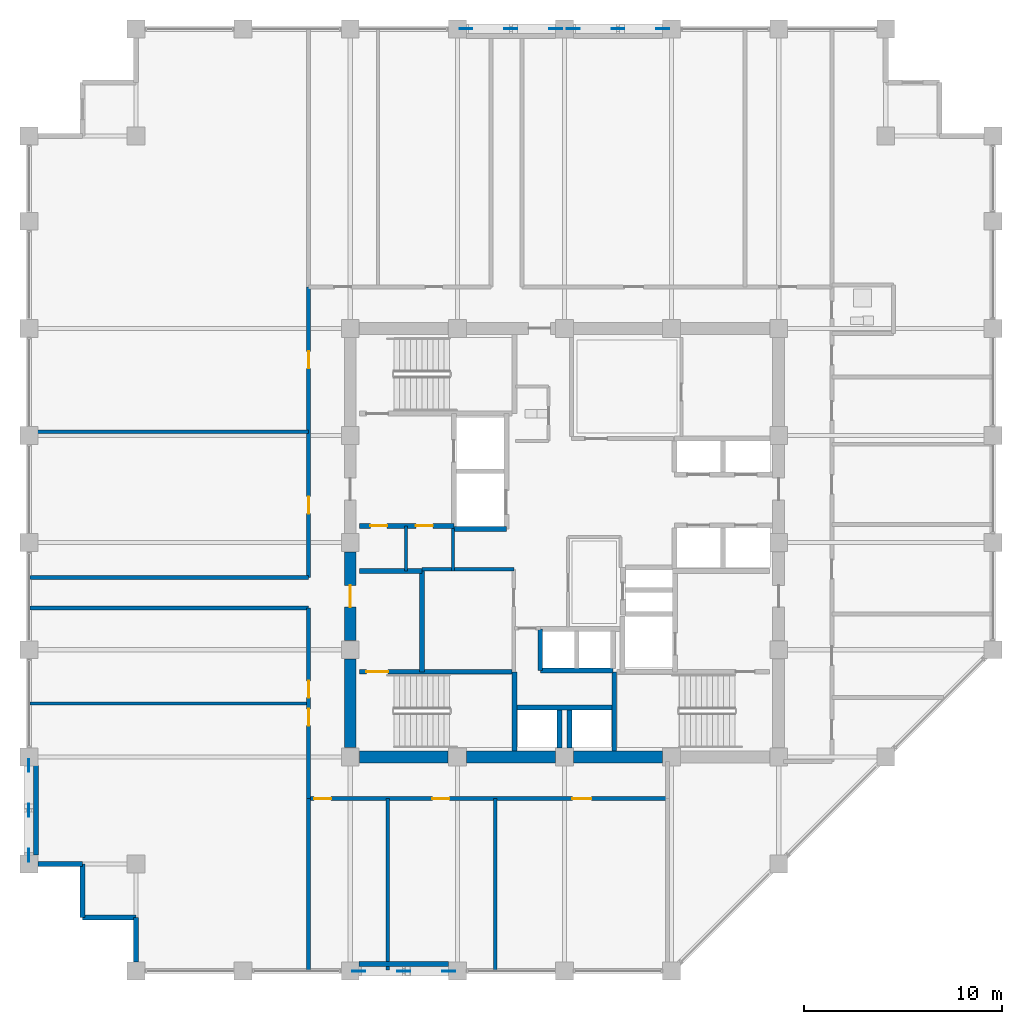
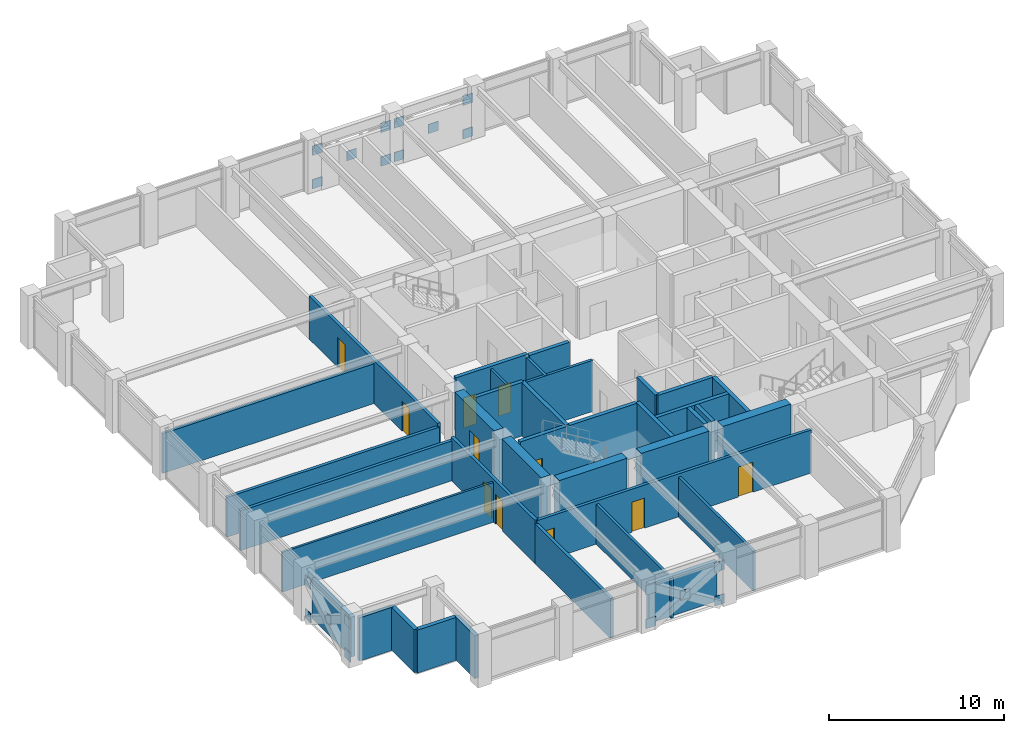
# One storey, part 27 of 32: 36 walls, 20 plates, 11 doors, 11 openings.
"""IFC4 building model written with IfcOpenShell, lengths in metres."""

from ifc_helpers import new_model, si_unit, direction, frame, frame_2d, origin, origin_2d, place, context, subcontext, project, spatial, rectangle, extrude, material, layer, layer_set, type_object, element, fill, save


model = new_model("IFC4")

# Units and contexts
model_context = context("Model", 3, precision=1e-05, world=origin(), true_north=direction((0.0, 1.0)))
body_context = subcontext(model_context, "Body", "Model", "MODEL_VIEW")
ifc_project = project(units=[si_unit("LENGTHUNIT", "METRE"), si_unit("AREAUNIT", "SQUARE_METRE"), si_unit("VOLUMEUNIT", "CUBIC_METRE"), si_unit("PLANEANGLEUNIT", "RADIAN"), si_unit("MASSUNIT", "GRAM", prefix="KILO")], contexts=[model_context])

# Site, building, storey
site_placement = place(None, origin())
site = spatial("IfcSite", under=ifc_project, at=site_placement, CompositionType="ELEMENT")
building_placement = place(site_placement, origin())
building = spatial("IfcBuilding", under=site, at=building_placement, Name="Surkhivell Harbour Commons", CompositionType="ELEMENT")
storey_placement = place(building_placement, frame((0.0, 0.0, 212.25)))
storey = spatial("IfcBuildingStorey", under=building, at=storey_placement, Name="L55", CompositionType="ELEMENT", Elevation=212.25)

# Plates
ifc_material_1 = material(Name="Steel S460", Category="steel")
ifc_layer_1 = layer(ifc_material_1, 0.044921875)
ifc_layer_set_1 = layer_set([ifc_layer_1], Name="Steel S460")
plate_type = type_object("IfcPlateType", Name="PLT-GUS-650", PredefinedType="USERDEFINED", material=ifc_layer_set_1)
for number, where, z_axis, x_axis, name in (
    (1, (-4.965087890625, 25.89990234375, -0.08935546875), (0.0, 0.0, 1.0), (1.0, 0.0, 0.0), "L55 Perimeter Mega-Brace MB- Corner Gusset N-1"),
    (2, (-0.43505859375, 25.89990234375, -0.08935546875), (0.0, 0.0, 1.0), (1.0, 0.0, 0.0), "L55 Perimeter Mega-Brace MB- Corner Gusset N-2"),
    (3, (-4.965087890625, 25.89990234375, 2.25146484375), (0.0, 0.0, 1.0), (1.0, 0.0, 0.0), "L55 Perimeter Mega-Brace MB- Corner Gusset N-3"),
    (4, (-0.43505859375, 25.89990234375, 2.25146484375), (0.0, 0.0, 1.0), (1.0, 0.0, 0.0), "L55 Perimeter Mega-Brace MB- Corner Gusset N-4"),
    (5, (-2.699951171875, 25.89990234375, 1.0810546875), (0.0, 0.0, 1.0), (1.0, 0.0, 0.0), "L55 Perimeter Mega-Brace MB- Central Crossing Gusset N"),
    (6, (0.43505859375, 25.89990234375, -0.08935546875), (0.0, 0.0, 1.0), (1.0, 0.0, 0.0), "L55 Perimeter Mega-Brace MB- Corner Gusset N2-1"),
    (7, (4.965087890625, 25.89990234375, -0.08935546875), (0.0, 0.0, 1.0), (1.0, 0.0, 0.0), "L55 Perimeter Mega-Brace MB- Corner Gusset N2-2"),
    (8, (0.43505859375, 25.89990234375, 2.25146484375), (0.0, 0.0, 1.0), (1.0, 0.0, 0.0), "L55 Perimeter Mega-Brace MB- Corner Gusset N2-3"),
    (9, (4.965087890625, 25.89990234375, 2.25146484375), (0.0, 0.0, 1.0), (1.0, 0.0, 0.0), "L55 Perimeter Mega-Brace MB- Corner Gusset N2-4"),
    (10, (2.699951171875, 25.89990234375, 1.0810546875), (0.0, 0.0, 1.0), (1.0, 0.0, 0.0), "L55 Perimeter Mega-Brace MB- Central Crossing Gusset N2"),
    (11, (-10.364990234375, -21.60009765625, -0.08935546875), (0.0, 0.0, 1.0), (1.0, 0.0, 0.0), "L55 Perimeter Mega-Brace MB- Corner Gusset S-1"),
    (12, (-5.8349609375, -21.60009765625, -0.08935546875), (0.0, 0.0, 1.0), (1.0, 0.0, 0.0), "L55 Perimeter Mega-Brace MB- Corner Gusset S-2"),
    (13, (-10.364990234375, -21.60009765625, 2.25146484375), (0.0, 0.0, 1.0), (1.0, 0.0, 0.0), "L55 Perimeter Mega-Brace MB- Corner Gusset S-3"),
    (14, (-5.8349609375, -21.60009765625, 2.25146484375), (0.0, 0.0, 1.0), (1.0, 0.0, 0.0), "L55 Perimeter Mega-Brace MB- Corner Gusset S-4"),
    (15, (-8.10009765625, -21.60009765625, 1.0810546875), (0.0, 0.0, 1.0), (1.0, 0.0, 0.0), "L55 Perimeter Mega-Brace MB- Central Crossing Gusset S"),
    (16, (-27.0, -15.764892578125, -0.08935546875), (0.0, 0.0, 1.0), (0.0, 1.0, 0.0), "L55 Perimeter Mega-Brace MB- Corner Gusset W-1"),
    (17, (-27.0, -11.235107421875, -0.08935546875), (0.0, 0.0, 1.0), (0.0, 1.0, 0.0), "L55 Perimeter Mega-Brace MB- Corner Gusset W-2"),
    (18, (-27.0, -15.764892578125, 2.25146484375), (0.0, 0.0, 1.0), (0.0, 1.0, 0.0), "L55 Perimeter Mega-Brace MB- Corner Gusset W-3"),
    (19, (-27.0, -11.235107421875, 2.25146484375), (0.0, 0.0, 1.0), (0.0, 1.0, 0.0), "L55 Perimeter Mega-Brace MB- Corner Gusset W-4"),
    (20, (-27.0, -13.5, 1.0810546875), (0.0, 0.0, 1.0), (0.0, 1.0, 0.0), "L55 Perimeter Mega-Brace MB- Central Crossing Gusset W"),
):
    element("IfcPlate", number, at=place(storey_placement, frame(where, z_axis=z_axis, x_axis=x_axis)), inside=storey, type_object=plate_type, Name=name, ObjectType="GUSSET_PLATE", PredefinedType="USERDEFINED", context=body_context, shape_type="SweptSolid", body=[
        extrude(rectangle(XDim=0.64990234375, YDim=0.044921875, at=origin_2d()), origin(), (0.0, 0.0, 1.0), 0.64990234375),
    ])

# Walls
ifc_material_2 = material(Name="Concrete C60/75", Category="concrete")
ifc_layer_2 = layer(ifc_material_2, 0.60009765625)
ifc_layer_set_2 = layer_set([ifc_layer_2], Name="Concrete C60/75")
wall_type_1 = type_object("IfcWallType", Name="WAL-CORE-600", PredefinedType="SHEAR", material=ifc_layer_set_2)
for number, where, z_axis, x_axis, name in (
    (21, (-10.340087890625, -10.800048828125, 0.0), (0.0, 0.0, 1.0), (1.0, 0.0, 0.0), "L55 Core Shear Wall South 1"),
    (22, (-10.800048828125, -10.340087890625, 0.0), (0.0, 0.0, 1.0), (0.0, 1.0, 0.0), "L55 Core Shear Wall West 1"),
    (23, (-4.93994140625, -10.800048828125, 0.0), (0.0, 0.0, 1.0), (1.0, 0.0, 0.0), "L55 Core Shear Wall South 2"),
):
    element("IfcWall", number, at=place(storey_placement, frame(where, z_axis=z_axis, x_axis=x_axis)), inside=storey, type_object=wall_type_1, Name=name, PredefinedType="SHEAR", context=body_context, shape_type="SweptSolid", body=[
        extrude(rectangle(XDim=4.47998046875, YDim=0.60009765625, at=frame_2d((2.239990234375, 0.0))), origin(), (0.0, 0.0, 1.0), 3.75),
    ])

# Wall, opening, door
wall_1_placement = place(storey_placement, frame((-10.800048828125, -4.93994140625, 0.0), z_axis=(0.0, 0.0, 1.0), x_axis=(0.0, 1.0, 0.0)))
wall_1 = element("IfcWall", 24, at=wall_1_placement, inside=storey, type_object=wall_type_1, Name="L55 Core Shear Wall West 2", PredefinedType="SHEAR", context=body_context, shape_type="SweptSolid", body=[
    extrude(rectangle(XDim=4.47998046875, YDim=0.60009765625, at=frame_2d((2.239990234375, 0.0))), origin(), (0.0, 0.0, 1.0), 3.75),
])
opening_1_placement = place(wall_1_placement, frame((1.68994140625, 0.0, 0.0)))
opening_1 = element("IfcOpeningElement", 25, at=opening_1_placement, cuts=wall_1, Name="Opening ID-2", PredefinedType="OPENING", context=body_context, shape_type="SweptSolid", body=[
    extrude(rectangle(XDim=1.10009765625, YDim=2.10009765625, at=frame_2d((0.550048828125, 1.050048828125))), frame((0.0, 0.31005859375, 0.0), z_axis=(0.0, -1.0, 0.0), x_axis=(1.0, 0.0, 0.0)), (0.0, 0.0, 1.0), 0.6201171875),
])
ifc_material_3 = material(Name="Hardwood-veneered fire-rated door leaf", Category="wood")
door_type_1 = type_object("IfcDoorType", Name="DOR-FD60-1100", OperationType="NOTDEFINED", PredefinedType="DOOR", material=ifc_material_3)
door_1_placement = place(opening_1_placement, origin())
door_1 = element("IfcDoor", 26, at=door_1_placement, inside=storey, type_object=door_type_1, Name="L55 Stair 3 Lobby Corridor Door", OperationType="SINGLE_SWING_LEFT", OverallHeight=2.10009765625, OverallWidth=1.10009765625, PredefinedType="DOOR", context=body_context, shape_type="SweptSolid", body=[
    extrude(rectangle(XDim=1.10009765625, YDim=2.10009765625, at=frame_2d((0.550048828125, 1.050048828125))), frame((0.0, 0.02490234375, 0.0), z_axis=(0.0, -1.0, 0.0), x_axis=(1.0, 0.0, 0.0)), (0.0, 0.0, 1.0), 0.050048828125),
])
fill(opening_1, door_1)

# Walls
wall_2_placement = place(storey_placement, frame((0.4599609375, -10.800048828125, 0.0), z_axis=(0.0, 0.0, 1.0), x_axis=(1.0, 0.0, 0.0)))
element("IfcWall", 27, at=wall_2_placement, inside=storey, type_object=wall_type_1, Name="L55 Core Shear Wall South 3", PredefinedType="SHEAR", context=body_context, shape_type="SweptSolid", body=[
    extrude(rectangle(XDim=4.47998046875, YDim=0.60009765625, at=frame_2d((2.239990234375, 0.0))), origin(), (0.0, 0.0, 1.0), 3.75),
])
ifc_material_4 = material(Name="Pale-metal insulated precast concrete C45/55", Category="concrete")
ifc_layer_3 = layer(ifc_material_4, 0.260009765625)
ifc_layer_set_3 = layer_set([ifc_layer_3], Name="Pale-metal insulated precast concrete C45/55")
wall_type_2 = type_object("IfcWallType", Name="WAL-EXT-MTL260", PredefinedType="STANDARD", material=ifc_layer_set_3)
wall_3_placement = place(storey_placement, frame((-10.35205078125, -21.239990234375, 0.0), z_axis=(0.0, 0.0, 1.0), x_axis=(1.0, 0.0, 0.0)))
element("IfcWall", 28, at=wall_3_placement, inside=storey, type_object=wall_type_2, Name="L55 Braced-Bay Insulated Spandrel Backing S", PredefinedType="STANDARD", context=body_context, shape_type="SweptSolid", body=[
    extrude(rectangle(XDim=4.504150390625, YDim=0.260009765625, at=frame_2d((2.251953125, 0.0))), origin(), (0.0, 0.0, 1.0), 2.780029296875),
])
wall_4_placement = place(storey_placement, frame((-26.639892578125, -11.248046875, 0.0), z_axis=(0.0, 0.0, 1.0), x_axis=(0.0, -1.0, 0.0)))
element("IfcWall", 29, at=wall_4_placement, inside=storey, type_object=wall_type_2, Name="L55 Braced-Bay Insulated Spandrel Backing W", PredefinedType="STANDARD", context=body_context, shape_type="SweptSolid", body=[
    extrude(rectangle(XDim=4.50390625, YDim=0.260009765625, at=frame_2d((2.251953125, 0.0))), origin(), (0.0, 0.0, 1.0), 2.780029296875),
])
wall_5_placement = place(storey_placement, frame((-26.552001953125, -16.199951171875, 0.0), z_axis=(0.0, 0.0, 1.0), x_axis=(1.0, 0.0, 0.0)))
element("IfcWall", 30, at=wall_5_placement, inside=storey, type_object=wall_type_2, Name="L55 Serrated Corner Facade Wall 13", PredefinedType="STANDARD", context=body_context, shape_type="SweptSolid", body=[
    extrude(rectangle(XDim=2.251953125, YDim=0.260009765625, at=frame_2d((1.1259765625, 0.0))), origin(), (0.0, 0.0, 1.0), 3.006103515625),
])
for number, where, z_axis, x_axis, name in (
    (31, (-24.300048828125, -16.199951171875, 0.0), (0.0, 0.0, 1.0), (0.0, -1.0, 0.0), "L55 Serrated Corner Facade Wall 14"),
    (32, (-24.300048828125, -18.89990234375, 0.0), (0.0, 0.0, 1.0), (1.0, 0.0, 0.0), "L55 Serrated Corner Facade Wall 15"),
):
    element("IfcWall", number, at=place(storey_placement, frame(where, z_axis=z_axis, x_axis=x_axis)), inside=storey, type_object=wall_type_2, Name=name, PredefinedType="STANDARD", context=body_context, shape_type="SweptSolid", body=[
        extrude(rectangle(XDim=2.699951171875, YDim=0.260009765625, at=frame_2d((1.35009765625, 0.0))), origin(), (0.0, 0.0, 1.0), 3.006103515625),
    ])
wall_6_placement = place(storey_placement, frame((-21.60009765625, -18.89990234375, 0.0), z_axis=(0.0, 0.0, 1.0), x_axis=(0.0, -1.0, 0.0)))
element("IfcWall", 33, at=wall_6_placement, inside=storey, type_object=wall_type_2, Name="L55 Serrated Corner Facade Wall 16", PredefinedType="STANDARD", context=body_context, shape_type="SweptSolid", body=[
    extrude(rectangle(XDim=2.252197265625, YDim=0.260009765625, at=frame_2d((1.1259765625, 0.0))), origin(), (0.0, 0.0, 1.0), 3.006103515625),
])
ifc_material_5 = material(Name="Twin-stud acoustic fireboard partition", Category="other")
ifc_layer_4 = layer(ifc_material_5, 0.14990234375)
ifc_layer_set_4 = layer_set([ifc_layer_4], Name="Twin-stud acoustic fireboard partition")
wall_type_3 = type_object("IfcWallType", Name="WAL-INT-150", PredefinedType="PARTITIONING", material=ifc_layer_set_4)
wall_7_placement = place(storey_placement, frame((-8.0, -1.419921875, 0.0), z_axis=(0.0, 0.0, 1.0), x_axis=(0.0, 1.0, 0.0)))
element("IfcWall", 34, at=wall_7_placement, inside=storey, type_object=wall_type_3, Name="L55 West Core Cut D1", PredefinedType="PARTITIONING", context=body_context, shape_type="SweptSolid", body=[
    extrude(rectangle(XDim=2.27001953125, YDim=0.14990234375, at=frame_2d((1.135009765625, 0.0))), origin(), (0.0, 0.0, 1.0), 3.570068359375),
])
wall_8_placement = place(storey_placement, frame((-26.93994140625, -8.10009765625, 0.0), z_axis=(0.0, 0.0, 1.0), x_axis=(1.0, 0.0, 0.0)))
element("IfcWall", 35, at=wall_8_placement, inside=storey, type_object=wall_type_3, Name="L55 South-West Partition P1", PredefinedType="PARTITIONING", context=body_context, shape_type="SweptSolid", body=[
    extrude(rectangle(XDim=14.0400390625, YDim=0.14990234375, at=frame_2d((7.02001953125, 0.0))), origin(), (0.0, 0.0, 1.0), 2.780029296875),
])
ifc_material_6 = material(Name="High-density acoustic blockwork fire partition", Category="masonry")
ifc_layer_5 = layer(ifc_material_6, 0.175048828125)
ifc_layer_set_5 = layer_set([ifc_layer_5], Name="High-density acoustic blockwork fire partition")
wall_type_4 = type_object("IfcWallType", Name="WAL-INT-175", PredefinedType="PARTITIONING", material=ifc_layer_set_5)
wall_9_placement = place(storey_placement, frame((-7.179931640625, -1.35009765625, 0.0), z_axis=(0.0, 0.0, 1.0), x_axis=(1.0, 0.0, 0.0)))
element("IfcWall", 36, at=wall_9_placement, inside=storey, type_object=wall_type_4, Name="L55 Core Service Bay North Wall", PredefinedType="PARTITIONING", context=body_context, shape_type="SweptSolid", body=[
    extrude(rectangle(XDim=4.6298828125, YDim=0.175048828125, at=frame_2d((2.31494140625, 0.0))), origin(), (0.0, 0.0, 1.0), 3.570068359375),
])
wall_10_placement = place(storey_placement, frame((-5.6201171875, -1.419921875, 0.0), z_axis=(0.0, 0.0, 1.0), x_axis=(0.0, 1.0, 0.0)))
element("IfcWall", 37, at=wall_10_placement, inside=storey, type_object=wall_type_4, Name="L55 West Core Bay East Wall", PredefinedType="PARTITIONING", context=body_context, shape_type="SweptSolid", body=[
    extrude(rectangle(XDim=2.139892578125, YDim=0.175048828125, at=frame_2d((1.06982421875, 0.0))), origin(), (0.0, 0.0, 1.0), 3.570068359375),
])
for number, where, z_axis, x_axis, name in (
    (38, (-8.919921875, -21.5400390625, 0.0), (0.0, 0.0, 1.0), (0.0, 1.0, 0.0), "L55 South Partition P1"),
    (39, (-3.489990234375, -21.5400390625, 0.0), (0.0, 0.0, 1.0), (0.0, 1.0, 0.0), "L55 South Partition P2"),
):
    element("IfcWall", number, at=place(storey_placement, frame(where, z_axis=z_axis, x_axis=x_axis)), inside=storey, type_object=wall_type_4, Name=name, PredefinedType="PARTITIONING", context=body_context, shape_type="SweptSolid", body=[
        extrude(rectangle(XDim=8.64013671875, YDim=0.175048828125, at=frame_2d((4.320068359375, 0.0))), origin(), (0.0, 0.0, 1.0), 2.780029296875),
    ])
wall_11_placement = place(storey_placement, frame((-26.93994140625, 5.580078125, 0.0), z_axis=(0.0, 0.0, 1.0), x_axis=(1.0, 0.0, 0.0)))
element("IfcWall", 40, at=wall_11_placement, inside=storey, type_object=wall_type_4, Name="L55 North-West Partition P1", PredefinedType="PARTITIONING", context=body_context, shape_type="SweptSolid", body=[
    extrude(rectangle(XDim=14.0400390625, YDim=0.175048828125, at=frame_2d((7.02001953125, 0.0))), origin(), (0.0, 0.0, 1.0), 2.780029296875),
])
ifc_material_7 = material(Name="Autoclaved aerated concrete blockwork and fire plaster", Category="masonry")
ifc_layer_6 = layer(ifc_material_7, 0.199951171875)
ifc_layer_set_6 = layer_set([ifc_layer_6], Name="Autoclaved aerated concrete blockwork and fire plaster")
wall_type_5 = type_object("IfcWallType", Name="WAL-INT-200", PredefinedType="PARTITIONING", material=ifc_layer_set_6)
wall_12_placement = place(storey_placement, frame((-12.89990234375, -21.5400390625, 0.0), z_axis=(0.0, 0.0, 1.0), x_axis=(0.0, 1.0, 0.0)))
element("IfcWall", 41, at=wall_12_placement, inside=storey, type_object=wall_type_5, Name="L55 South-West Corner Wall", PredefinedType="PARTITIONING", context=body_context, shape_type="SweptSolid", body=[
    extrude(rectangle(XDim=8.64013671875, YDim=0.199951171875, at=frame_2d((4.320068359375, 0.0))), origin(), (0.0, 0.0, 1.0), 2.780029296875),
])

# Wall, openings, doors
wall_13_placement = place(storey_placement, frame((-12.89990234375, -12.89990234375, 0.0), z_axis=(0.0, 0.0, 1.0), x_axis=(1.0, 0.0, 0.0)))
wall_13 = element("IfcWall", 42, at=wall_13_placement, inside=storey, type_object=wall_type_5, Name="L55 Corridor South Wall", PredefinedType="PARTITIONING", context=body_context, shape_type="SweptSolid", body=[
    extrude(rectangle(XDim=18.099853515625, YDim=0.199951171875, at=frame_2d((9.0498046875, 0.0))), origin(), (0.0, 0.0, 1.0), 3.006103515625),
])
opening_2_placement = place(wall_13_placement, frame((0.280029296875, 0.0, 0.0)))
opening_2 = element("IfcOpeningElement", 43, at=opening_2_placement, cuts=wall_13, Name="Opening ID-6", PredefinedType="OPENING", context=body_context, shape_type="SweptSolid", body=[
    extrude(rectangle(XDim=0.85009765625, YDim=2.10009765625, at=frame_2d((0.425048828125, 1.050048828125))), frame((0.0, 0.10986328125, 0.0), z_axis=(0.0, -1.0, 0.0), x_axis=(1.0, 0.0, 0.0)), (0.0, 0.0, 1.0), 0.219970703125),
])
opening_3_placement = place(wall_13_placement, frame((6.2451171875, 0.0, 0.0)))
opening_3 = element("IfcOpeningElement", 44, at=opening_3_placement, cuts=wall_13, Name="Opening ID-6", PredefinedType="OPENING", context=body_context, shape_type="SweptSolid", body=[
    extrude(rectangle(XDim=0.85009765625, YDim=2.10009765625, at=frame_2d((0.425048828125, 1.050048828125))), frame((0.0, 0.10986328125, 0.0), z_axis=(0.0, -1.0, 0.0), x_axis=(1.0, 0.0, 0.0)), (0.0, 0.0, 1.0), 0.219970703125),
])
opening_4_placement = place(wall_13_placement, frame((13.304931640625, 0.0, 0.0)))
opening_4 = element("IfcOpeningElement", 45, at=opening_4_placement, cuts=wall_13, Name="Opening ID-4", PredefinedType="OPENING", context=body_context, shape_type="SweptSolid", body=[
    extrude(rectangle(XDim=0.949951171875, YDim=2.10009765625, at=frame_2d((0.47509765625, 1.050048828125))), frame((0.0, 0.10986328125, 0.0), z_axis=(0.0, -1.0, 0.0), x_axis=(1.0, 0.0, 0.0)), (0.0, 0.0, 1.0), 0.219970703125),
])
door_type_2 = type_object("IfcDoorType", Name="DOR-FD30-850", OperationType="NOTDEFINED", PredefinedType="DOOR", material=ifc_material_3)
door_2_placement = place(opening_2_placement, origin())
door_2 = element("IfcDoor", 46, at=door_2_placement, inside=storey, type_object=door_type_2, Name="L55 Co-Working Study Office 1 South Door", OperationType="SINGLE_SWING_RIGHT", OverallHeight=2.10009765625, OverallWidth=0.85009765625, PredefinedType="DOOR", context=body_context, shape_type="SweptSolid", body=[
    extrude(rectangle(XDim=0.85009765625, YDim=2.10009765625, at=frame_2d((0.425048828125, 1.050048828125))), frame((0.0, 0.02490234375, 0.0), z_axis=(0.0, -1.0, 0.0), x_axis=(1.0, 0.0, 0.0)), (0.0, 0.0, 1.0), 0.050048828125),
])
fill(opening_2, door_2)
door_3_placement = place(opening_3_placement, origin())
door_3 = element("IfcDoor", 47, at=door_3_placement, inside=storey, type_object=door_type_2, Name="L55 Co-Working Study Office 2 South Door", OperationType="SINGLE_SWING_LEFT", OverallHeight=2.10009765625, OverallWidth=0.85009765625, PredefinedType="DOOR", context=body_context, shape_type="SweptSolid", body=[
    extrude(rectangle(XDim=0.85009765625, YDim=2.10009765625, at=frame_2d((0.425048828125, 1.050048828125))), frame((0.0, 0.02490234375, 0.0), z_axis=(0.0, -1.0, 0.0), x_axis=(1.0, 0.0, 0.0)), (0.0, 0.0, 1.0), 0.050048828125),
])
fill(opening_3, door_3)
door_type_3 = type_object("IfcDoorType", Name="DOR-FD60-950", OperationType="NOTDEFINED", PredefinedType="DOOR", material=ifc_material_3)
door_4_placement = place(opening_4_placement, origin())
door_4 = element("IfcDoor", 48, at=door_4_placement, inside=storey, type_object=door_type_3, Name="L55 Co-Working Study Office 3 South Door", OperationType="SINGLE_SWING_RIGHT", OverallHeight=2.10009765625, OverallWidth=0.949951171875, PredefinedType="DOOR", context=body_context, shape_type="SweptSolid", body=[
    extrude(rectangle(XDim=0.949951171875, YDim=2.10009765625, at=frame_2d((0.47509765625, 1.050048828125))), frame((0.0, 0.02490234375, 0.0), z_axis=(0.0, -1.0, 0.0), x_axis=(1.0, 0.0, 0.0)), (0.0, 0.0, 1.0), 0.050048828125),
])
fill(opening_4, door_4)

# Walls
for number, where, z_axis, x_axis, name in (
    (49, (-26.93994140625, -1.75, 0.0), (0.0, 0.0, 1.0), (1.0, 0.0, 0.0), "L55 West Spur North Wall"),
    (50, (-26.93994140625, -3.300048828125, 0.0), (0.0, 0.0, 1.0), (1.0, 0.0, 0.0), "L55 West Spur South Wall"),
):
    element("IfcWall", number, at=place(storey_placement, frame(where, z_axis=z_axis, x_axis=x_axis)), inside=storey, type_object=wall_type_5, Name=name, PredefinedType="PARTITIONING", context=body_context, shape_type="SweptSolid", body=[
        extrude(rectangle(XDim=14.0400390625, YDim=0.199951171875, at=frame_2d((7.02001953125, 0.0))), origin(), (0.0, 0.0, 1.0), 2.780029296875),
    ])

# Wall, openings, doors
wall_14_placement = place(storey_placement, frame((-12.89990234375, -1.75, 0.0), z_axis=(0.0, 0.0, 1.0), x_axis=(0.0, 1.0, 0.0)))
wall_14 = element("IfcWall", 51, at=wall_14_placement, inside=storey, type_object=wall_type_5, Name="L55 Corridor West-Upper Wall", PredefinedType="PARTITIONING", context=body_context, shape_type="SweptSolid", body=[
    extrude(rectangle(XDim=14.64990234375, YDim=0.199951171875, at=frame_2d((7.324951171875, 0.0))), origin(), (0.0, 0.0, 1.0), 3.006103515625),
])
opening_5_placement = place(wall_14_placement, frame((3.215087890625, 0.0, 0.0)))
opening_5 = element("IfcOpeningElement", 52, at=opening_5_placement, cuts=wall_14, Name="Opening ID-6", PredefinedType="OPENING", context=body_context, shape_type="SweptSolid", body=[
    extrude(rectangle(XDim=0.85009765625, YDim=2.10009765625, at=frame_2d((0.425048828125, 1.050048828125))), frame((0.0, 0.10986328125, 0.0), z_axis=(0.0, -1.0, 0.0), x_axis=(1.0, 0.0, 0.0)), (0.0, 0.0, 1.0), 0.219970703125),
])
opening_6_placement = place(wall_14_placement, frame((10.5400390625, 0.0, 0.0)))
opening_6 = element("IfcOpeningElement", 53, at=opening_6_placement, cuts=wall_14, Name="Opening ID-6", PredefinedType="OPENING", context=body_context, shape_type="SweptSolid", body=[
    extrude(rectangle(XDim=0.85009765625, YDim=2.10009765625, at=frame_2d((0.425048828125, 1.050048828125))), frame((0.0, 0.10986328125, 0.0), z_axis=(0.0, -1.0, 0.0), x_axis=(1.0, 0.0, 0.0)), (0.0, 0.0, 1.0), 0.219970703125),
])
door_5_placement = place(opening_5_placement, origin())
door_5 = element("IfcDoor", 54, at=door_5_placement, inside=storey, type_object=door_type_2, Name="L55 Campus Co-Op Bookshop North-West Door", OperationType="SINGLE_SWING_LEFT", OverallHeight=2.10009765625, OverallWidth=0.85009765625, PredefinedType="DOOR", context=body_context, shape_type="SweptSolid", body=[
    extrude(rectangle(XDim=0.85009765625, YDim=2.10009765625, at=frame_2d((0.425048828125, 1.050048828125))), frame((0.0, 0.02490234375, 0.0), z_axis=(0.0, -1.0, 0.0), x_axis=(1.0, 0.0, 0.0)), (0.0, 0.0, 1.0), 0.050048828125),
])
fill(opening_5, door_5)
door_6_placement = place(opening_6_placement, origin())
door_6 = element("IfcDoor", 55, at=door_6_placement, inside=storey, type_object=door_type_2, Name="L55 Harbour Espresso Cafe Shop North-West Door", OperationType="SINGLE_SWING_RIGHT", OverallHeight=2.10009765625, OverallWidth=0.85009765625, PredefinedType="DOOR", context=body_context, shape_type="SweptSolid", body=[
    extrude(rectangle(XDim=0.85009765625, YDim=2.10009765625, at=frame_2d((0.425048828125, 1.050048828125))), frame((0.0, 0.02490234375, 0.0), z_axis=(0.0, -1.0, 0.0), x_axis=(1.0, 0.0, 0.0)), (0.0, 0.0, 1.0), 0.050048828125),
])
fill(opening_6, door_6)

wall_15_placement = place(storey_placement, frame((-12.89990234375, -12.89990234375, 0.0), z_axis=(0.0, 0.0, 1.0), x_axis=(0.0, 1.0, 0.0)))
wall_15 = element("IfcWall", 56, at=wall_15_placement, inside=storey, type_object=wall_type_5, Name="L55 Corridor West-Lower Wall", PredefinedType="PARTITIONING", context=body_context, shape_type="SweptSolid", body=[
    extrude(rectangle(XDim=9.599853515625, YDim=0.199951171875, at=frame_2d((4.7998046875, 0.0))), origin(), (0.0, 0.0, 1.0), 3.006103515625),
])
opening_7_placement = place(wall_15_placement, frame((3.669921875, 0.0, 0.0)))
opening_7 = element("IfcOpeningElement", 57, at=opening_7_placement, cuts=wall_15, Name="Opening ID-6", PredefinedType="OPENING", context=body_context, shape_type="SweptSolid", body=[
    extrude(rectangle(XDim=0.85009765625, YDim=2.10009765625, at=frame_2d((0.425048828125, 1.050048828125))), frame((0.0, 0.10986328125, 0.0), z_axis=(0.0, -1.0, 0.0), x_axis=(1.0, 0.0, 0.0)), (0.0, 0.0, 1.0), 0.219970703125),
])
opening_8_placement = place(wall_15_placement, frame((5.080078125, 0.0, 0.0)))
opening_8 = element("IfcOpeningElement", 58, at=opening_8_placement, cuts=wall_15, Name="Opening ID-6", PredefinedType="OPENING", context=body_context, shape_type="SweptSolid", body=[
    extrude(rectangle(XDim=0.85009765625, YDim=2.10009765625, at=frame_2d((0.425048828125, 1.050048828125))), frame((0.0, 0.10986328125, 0.0), z_axis=(0.0, -1.0, 0.0), x_axis=(1.0, 0.0, 0.0)), (0.0, 0.0, 1.0), 0.219970703125),
])
door_7_placement = place(opening_7_placement, origin())
door_7 = element("IfcDoor", 59, at=door_7_placement, inside=storey, type_object=door_type_2, Name="L55 Campus Co-Op Bookshop South-West Door", OperationType="SINGLE_SWING_LEFT", OverallHeight=2.10009765625, OverallWidth=0.85009765625, PredefinedType="DOOR", context=body_context, shape_type="SweptSolid", body=[
    extrude(rectangle(XDim=0.85009765625, YDim=2.10009765625, at=frame_2d((0.425048828125, 1.050048828125))), frame((0.0, 0.02490234375, 0.0), z_axis=(0.0, -1.0, 0.0), x_axis=(1.0, 0.0, 0.0)), (0.0, 0.0, 1.0), 0.050048828125),
])
fill(opening_7, door_7)
door_8_placement = place(opening_8_placement, origin())
door_8 = element("IfcDoor", 60, at=door_8_placement, inside=storey, type_object=door_type_2, Name="L55 Harbour Espresso Cafe Shop South-West Door", OperationType="SINGLE_SWING_RIGHT", OverallHeight=2.10009765625, OverallWidth=0.85009765625, PredefinedType="DOOR", context=body_context, shape_type="SweptSolid", body=[
    extrude(rectangle(XDim=0.85009765625, YDim=2.10009765625, at=frame_2d((0.425048828125, 1.050048828125))), frame((0.0, 0.02490234375, 0.0), z_axis=(0.0, -1.0, 0.0), x_axis=(1.0, 0.0, 0.0)), (0.0, 0.0, 1.0), 0.050048828125),
])
fill(opening_8, door_8)

ifc_material_8 = material(Name="Concrete C50/60", Category="concrete")
ifc_layer_7 = layer(ifc_material_8, 0.25)
ifc_layer_set_7 = layer_set([ifc_layer_7], Name="Concrete C50/60")
wall_type_6 = type_object("IfcWallType", Name="WAL-SHAFT-250", PredefinedType="SHEAR", material=ifc_layer_set_7)
wall_16_placement = place(storey_placement, frame((-10.340087890625, 0.85009765625, 0.0), z_axis=(0.0, 0.0, 1.0), x_axis=(1.0, 0.0, 0.0)))
wall_16 = element("IfcWall", 61, at=wall_16_placement, inside=storey, type_object=wall_type_6, Name="L55 Firefighting Lobby 1 South Wall", PredefinedType="SHEAR", context=body_context, shape_type="SweptSolid", body=[
    extrude(rectangle(XDim=4.760009765625, YDim=0.25, at=frame_2d((2.3798828125, 0.0))), origin(), (0.0, 0.0, 1.0), 3.75),
])
opening_9_placement = place(wall_16_placement, frame((0.550048828125, 0.0, 0.0)))
opening_9 = element("IfcOpeningElement", 62, at=opening_9_placement, cuts=wall_16, Name="Opening ID-6", PredefinedType="OPENING", context=body_context, shape_type="SweptSolid", body=[
    extrude(rectangle(XDim=0.85009765625, YDim=2.10009765625, at=frame_2d((0.425048828125, 1.050048828125))), frame((0.0, 0.135009765625, 0.0), z_axis=(0.0, -1.0, 0.0), x_axis=(1.0, 0.0, 0.0)), (0.0, 0.0, 1.0), 0.27001953125),
])
opening_10_placement = place(wall_16_placement, frame((2.85009765625, 0.0, 0.0)))
opening_10 = element("IfcOpeningElement", 63, at=opening_10_placement, cuts=wall_16, Name="Opening ID-6", PredefinedType="OPENING", context=body_context, shape_type="SweptSolid", body=[
    extrude(rectangle(XDim=0.85009765625, YDim=2.10009765625, at=frame_2d((0.425048828125, 1.050048828125))), frame((0.0, 0.135009765625, 0.0), z_axis=(0.0, -1.0, 0.0), x_axis=(1.0, 0.0, 0.0)), (0.0, 0.0, 1.0), 0.27001953125),
])
door_9_placement = place(opening_9_placement, origin())
door_9 = element("IfcDoor", 64, at=door_9_placement, inside=storey, type_object=door_type_2, Name="L55 West Seminar Pod Door", OperationType="SINGLE_SWING_LEFT", OverallHeight=2.10009765625, OverallWidth=0.85009765625, PredefinedType="DOOR", context=body_context, shape_type="SweptSolid", body=[
    extrude(rectangle(XDim=0.85009765625, YDim=2.10009765625, at=frame_2d((0.425048828125, 1.050048828125))), frame((0.0, 0.02490234375, 0.0), z_axis=(0.0, -1.0, 0.0), x_axis=(1.0, 0.0, 0.0)), (0.0, 0.0, 1.0), 0.050048828125),
])
fill(opening_9, door_9)
door_10_placement = place(opening_10_placement, origin())
door_10 = element("IfcDoor", 65, at=door_10_placement, inside=storey, type_object=door_type_2, Name="L55 West Reading Pod Door", OperationType="SINGLE_SWING_RIGHT", OverallHeight=2.10009765625, OverallWidth=0.85009765625, PredefinedType="DOOR", context=body_context, shape_type="SweptSolid", body=[
    extrude(rectangle(XDim=0.85009765625, YDim=2.10009765625, at=frame_2d((0.425048828125, 1.050048828125))), frame((0.0, 0.02490234375, 0.0), z_axis=(0.0, -1.0, 0.0), x_axis=(1.0, 0.0, 0.0)), (0.0, 0.0, 1.0), 0.050048828125),
])
fill(opening_10, door_10)

# Walls
for number, where, z_axis, x_axis, name in (
    (66, (-0.25, -10.35009765625, 0.0), (0.0, 0.0, 1.0), (0.0, 1.0, 0.0), "L55 High-Rise Side Wall S"),
    (67, (0.25, -10.35009765625, 0.0), (0.0, 0.0, 1.0), (0.0, 1.0, 0.0), "L55 High-Rise Side Wall S"),
):
    element("IfcWall", number, at=place(storey_placement, frame(where, z_axis=z_axis, x_axis=x_axis)), inside=storey, type_object=wall_type_6, Name=name, PredefinedType="SHEAR", context=body_context, shape_type="SweptSolid", body=[
        extrude(rectangle(XDim=1.91015625, YDim=0.25, at=frame_2d((0.955078125, 0.0))), origin(), (0.0, 0.0, 1.0), 3.75),
    ])
wall_17_placement = place(storey_placement, frame((-1.219970703125, -6.43994140625, 0.0), z_axis=(0.0, 0.0, 1.0), x_axis=(0.0, 1.0, 0.0)))
element("IfcWall", 68, at=wall_17_placement, inside=storey, type_object=wall_type_6, Name="L55 High-Rise Passage East Shaft Wall", PredefinedType="SHEAR", context=body_context, shape_type="SweptSolid", body=[
    extrude(rectangle(XDim=2.079833984375, YDim=0.25, at=frame_2d((1.0400390625, 0.0))), origin(), (0.0, 0.0, 1.0), 3.75),
])
wall_18_placement = place(storey_placement, frame((-1.219970703125, -6.43994140625, 0.0), z_axis=(0.0, 0.0, 1.0), x_axis=(1.0, 0.0, 0.0)))
element("IfcWall", 69, at=wall_18_placement, inside=storey, type_object=wall_type_6, Name="L55 High-Rise North Front Shaft Wall", PredefinedType="SHEAR", context=body_context, shape_type="SweptSolid", body=[
    extrude(rectangle(XDim=3.669921875, YDim=0.25, at=frame_2d((1.8349609375, 0.0))), origin(), (0.0, 0.0, 1.0), 3.75),
])
wall_19_placement = place(storey_placement, frame((-2.47998046875, -8.320068359375, 0.0), z_axis=(0.0, 0.0, 1.0), x_axis=(1.0, 0.0, 0.0)))
element("IfcWall", 70, at=wall_19_placement, inside=storey, type_object=wall_type_6, Name="L55 High-Rise South Front Shaft Wall", PredefinedType="SHEAR", context=body_context, shape_type="SweptSolid", body=[
    extrude(rectangle(XDim=4.929931640625, YDim=0.25, at=frame_2d((2.46484375, 0.0))), origin(), (0.0, 0.0, 1.0), 3.75),
])
for number, where, z_axis, x_axis, name in (
    (71, (2.510009765625, -10.5, 0.0), (0.0, 0.0, 1.0), (0.0, 1.0, 0.0), "L55 Stair ST2 West Shear Wall"),
    (72, (-2.510009765625, -10.5, 0.0), (0.0, 0.0, 1.0), (0.0, 1.0, 0.0), "L55 Stair ST3 East Shear Wall"),
):
    element("IfcWall", number, at=place(storey_placement, frame(where, z_axis=z_axis, x_axis=x_axis)), inside=storey, type_object=wall_type_6, Name=name, PredefinedType="SHEAR", context=body_context, shape_type="SweptSolid", body=[
        extrude(rectangle(XDim=3.989990234375, YDim=0.25, at=frame_2d((1.9951171875, 0.0))), origin(), (0.0, 0.0, 1.0), 3.75),
    ])
wall_20_placement = place(storey_placement, frame((-7.179931640625, -6.510009765625, 0.0), z_axis=(0.0, 0.0, 1.0), x_axis=(0.0, 1.0, 0.0)))
element("IfcWall", 73, at=wall_20_placement, inside=storey, type_object=wall_type_6, Name="L55 Stair 3 Lobby East Wall", PredefinedType="SHEAR", context=body_context, shape_type="SweptSolid", body=[
    extrude(rectangle(XDim=5.090087890625, YDim=0.25, at=frame_2d((2.544921875, 0.0))), origin(), (0.0, 0.0, 1.0), 3.75),
])
wall_21_placement = place(storey_placement, frame((-10.340087890625, -1.419921875, 0.0), z_axis=(0.0, 0.0, 1.0), x_axis=(1.0, 0.0, 0.0)))
element("IfcWall", 74, at=wall_21_placement, inside=storey, type_object=wall_type_6, Name="L55 Stair 3 Lobby North Wall", PredefinedType="SHEAR", context=body_context, shape_type="SweptSolid", body=[
    extrude(rectangle(XDim=3.16015625, YDim=0.25, at=frame_2d((1.580078125, 0.0))), origin(), (0.0, 0.0, 1.0), 3.75),
])

# Wall, opening, door
wall_22_placement = place(storey_placement, frame((-10.340087890625, -6.510009765625, 0.0), z_axis=(0.0, 0.0, 1.0), x_axis=(1.0, 0.0, 0.0)))
wall_22 = element("IfcWall", 75, at=wall_22_placement, inside=storey, type_object=wall_type_6, Name="L55 Stair ST3 North Shear Wall", PredefinedType="SHEAR", context=body_context, shape_type="SweptSolid", body=[
    extrude(rectangle(XDim=7.7001953125, YDim=0.25, at=frame_2d((3.85009765625, 0.0))), origin(), (0.0, 0.0, 1.0), 3.75),
])
opening_11_placement = place(wall_22_placement, frame((0.35009765625, 0.0, 0.0)))
opening_11 = element("IfcOpeningElement", 76, at=opening_11_placement, cuts=wall_22, Name="Opening ID-2", PredefinedType="OPENING", context=body_context, shape_type="SweptSolid", body=[
    extrude(rectangle(XDim=1.10009765625, YDim=2.10009765625, at=frame_2d((0.550048828125, 1.050048828125))), frame((0.0, 0.135009765625, 0.0), z_axis=(0.0, -1.0, 0.0), x_axis=(1.0, 0.0, 0.0)), (0.0, 0.0, 1.0), 0.27001953125),
])
door_11_placement = place(opening_11_placement, origin())
door_11 = element("IfcDoor", 77, at=door_11_placement, inside=storey, type_object=door_type_1, Name="L55 Stair ST3 Exit Door", OperationType="SINGLE_SWING_RIGHT", OverallHeight=2.10009765625, OverallWidth=1.10009765625, PredefinedType="DOOR", context=body_context, shape_type="SweptSolid", body=[
    extrude(rectangle(XDim=1.10009765625, YDim=2.10009765625, at=frame_2d((0.550048828125, 1.050048828125))), frame((0.0, 0.02490234375, 0.0), z_axis=(0.0, -1.0, 0.0), x_axis=(1.0, 0.0, 0.0)), (0.0, 0.0, 1.0), 0.050048828125),
])
fill(opening_11, door_11)

# Wall
wall_23_placement = place(storey_placement, frame((-5.580078125, 0.679931640625, 0.0), z_axis=(0.0, 0.0, 1.0), x_axis=(1.0, 0.0, 0.0)))
element("IfcWall", 78, at=wall_23_placement, inside=storey, type_object=wall_type_6, Name="L55 SVL1 South Shaft Wall", PredefinedType="SHEAR", context=body_context, shape_type="SweptSolid", body=[
    extrude(rectangle(XDim=2.650146484375, YDim=0.25, at=frame_2d((1.3251953125, 0.0))), origin(), (0.0, 0.0, 1.0), 3.75),
])

save(model, "model.ifc")
